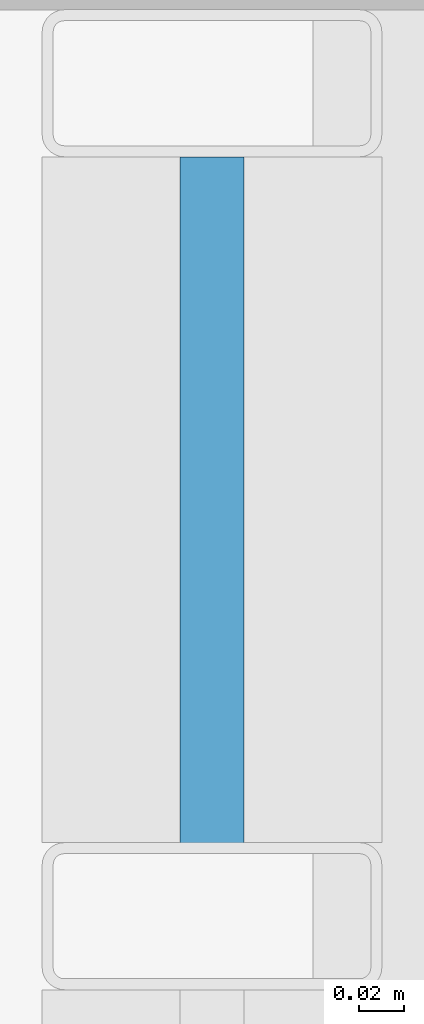
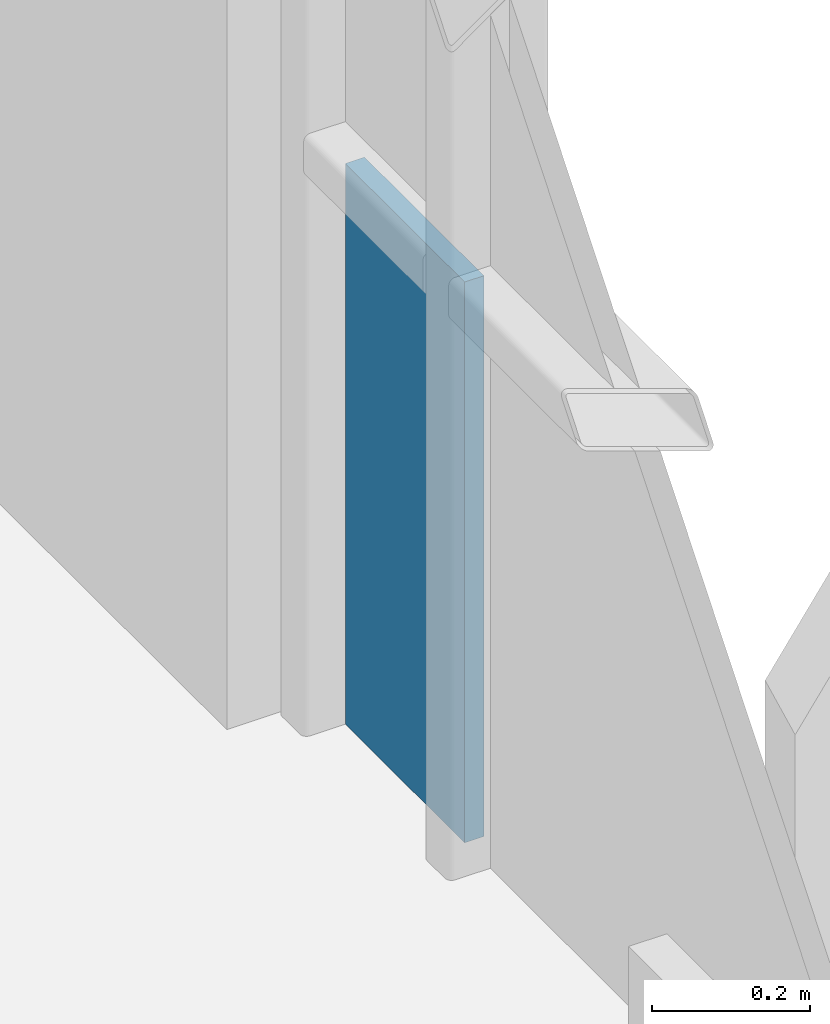
# One storey, part 25 of 35: 1 plate, 1 element without a shape of its own.
"""IFC4 building model written with IfcOpenShell, lengths in metres."""

from ifc_helpers import new_model, si_unit, direction, frame, origin, origin_2d, place, context, subcontext, project, spatial, rectangle, extrude, material, layer, layer_set, type_object, element, aggregate, save


model = new_model("IFC4")

# Units and contexts
model_context = context("Model", 3, precision=1e-05, world=origin(), true_north=direction((0.0, 1.0)))
body_context = subcontext(model_context, "Body", "Model", "MODEL_VIEW")
ifc_project = project(units=[si_unit("LENGTHUNIT", "METRE"), si_unit("AREAUNIT", "SQUARE_METRE"), si_unit("VOLUMEUNIT", "CUBIC_METRE"), si_unit("PLANEANGLEUNIT", "RADIAN"), si_unit("MASSUNIT", "GRAM", prefix="KILO")], contexts=[model_context])

# Site, building, storey
site_placement = place(None, origin())
site = spatial("IfcSite", under=ifc_project, at=site_placement, CompositionType="ELEMENT")
building_placement = place(site_placement, origin())
building = spatial("IfcBuilding", under=site, at=building_placement, Name="Brevholm Reach", CompositionType="ELEMENT")
storey_placement = place(building_placement, frame((0.0, 0.0, 218.0)))
storey = spatial("IfcBuildingStorey", under=building, at=storey_placement, Name="L66", CompositionType="ELEMENT", Elevation=218.0)

# Curtain wall, plate
ifc_material_1 = material(Name="Dark Anodised Aluminium 6063-T6 and Solar-Control Glass", Category="aluminium")
ifc_layer_1 = layer(ifc_material_1, 0.14990234375)
ifc_layer_set_1 = layer_set([ifc_layer_1], Name="Dark Anodised Aluminium 6063-T6 and Solar-Control Glass")
curtain_wall_type = type_object("IfcCurtainWallType", Name="CW-01", PredefinedType="NOTDEFINED", material=ifc_layer_set_1)
curtain_wall_placement = place(storey_placement, origin())
curtain_wall = element("IfcCurtainWall", 1, at=curtain_wall_placement, inside=storey, type_object=curtain_wall_type, Name="L66 Curtain Wall CW-01", PredefinedType="NOTDEFINED")
ifc_material_2 = material(Name="Dark Solar-Control Double-Glazed IGU Glass", Category="glass")
ifc_layer_2 = layer(ifc_material_2, 0.028076171875)
ifc_layer_set_2 = layer_set([ifc_layer_2], Name="Dark Solar-Control Double-Glazed IGU Glass")
plate_type = type_object("IfcPlateType", Name="CWP-GLZ-28", PredefinedType="CURTAIN_PANEL", material=ifc_layer_set_2)
plate_placement = place(storey_placement, frame((59.85009765625, 22.733642578125, 0.0), z_axis=(0.0, 0.0, 1.0), x_axis=(0.0, 1.0, 0.0)))
plate = element("IfcPlate", 2, at=plate_placement, type_object=plate_type, Name="CP-01 Glazing Panel 5.1", PredefinedType="CURTAIN_PANEL", context=body_context, shape_type="SweptSolid", body=[
    extrude(rectangle(XDim=0.302490234375, YDim=0.028076171875, at=origin_2d()), origin(), (0.0, 0.0, 1.0), 0.867431640625),
])
aggregate(curtain_wall, [plate])

save(model, "model.ifc")
